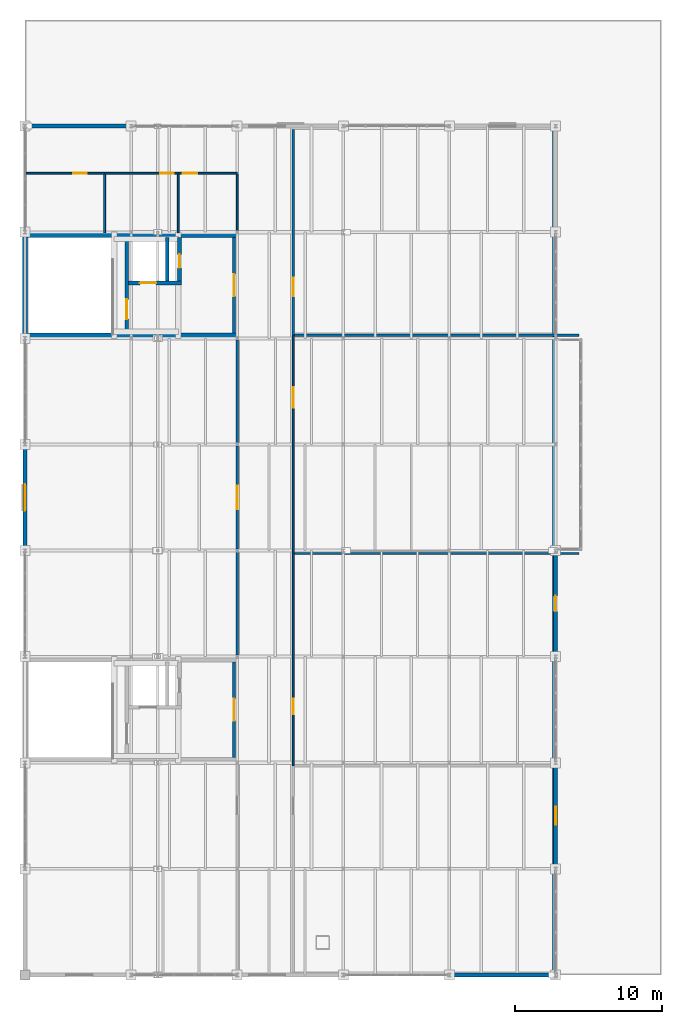
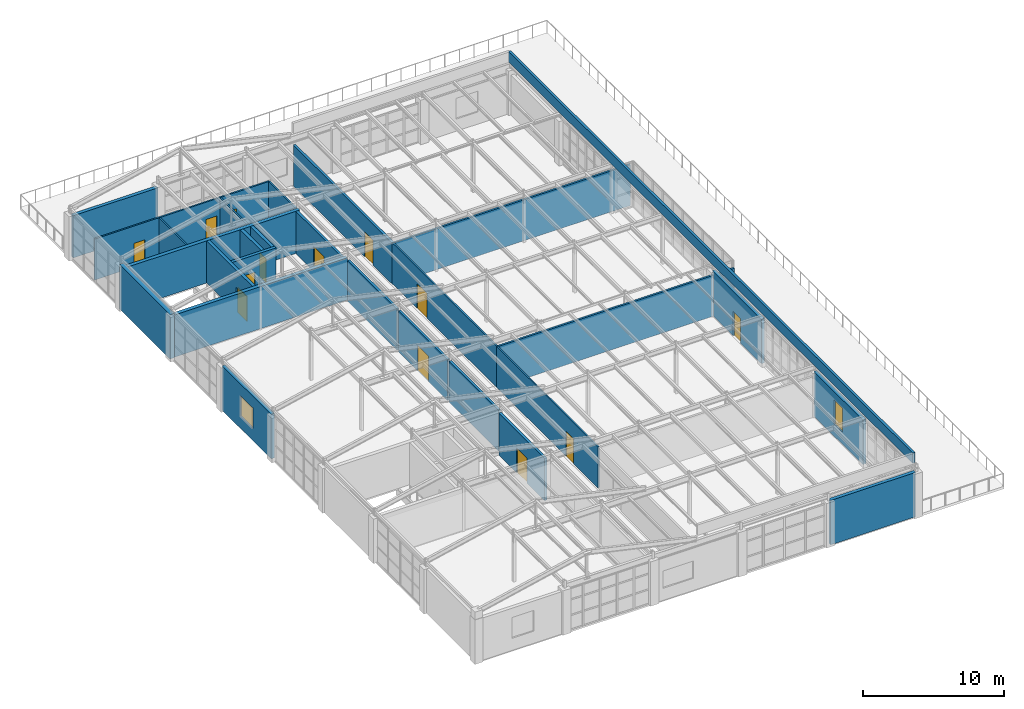
# One storey, part 40 of 43: 29 walls, 13 doors, 2 windows, 15 openings.
"""IFC4 building model written with IfcOpenShell, lengths in metres."""

import ifcopenshell
import ifcopenshell.guid

model = None  # the IFC model being written
_history = None  # IfcOwnerHistory: only IFC2X3 demands one
_inside = {}  # id of a spatial element -> (the spatial element, [elements in it])
_under = {}  # id of a project, library or spatial element -> (it, [spatial elements below it])
_declared = {}  # id of a project -> (the project, [libraries it declares])
_typed = {}  # id of a type object -> (the type object, [elements of that type])
_made_of = {}  # id of a material, layer set ... -> (it, [elements and type objects made of it])


def new_model(schema):
    """Start an empty IFC model of exactly this schema.

    Asked for "IFC4X3", IfcOpenShell would pick the latest addendum, in which some entities
    have other attributes; the version numbers below select the first issue.
    IFC2X3 requires an IfcOwnerHistory on every rooted entity: one is made here for all.
    """
    global model, _history
    if schema == "IFC4X3":
        model = ifcopenshell.file(schema_version=(4, 3, 0, 0))
    else:
        model = ifcopenshell.file(schema=schema)
    _inside.clear()
    _under.clear()
    _declared.clear()
    _typed.clear()
    _made_of.clear()
    _history = None
    if model.schema == "IFC2X3":
        org = make("IfcOrganization", Name="unknown")
        user = make(
            "IfcPersonAndOrganization",
            ThePerson=make("IfcPerson", FamilyName="unknown"),
            TheOrganization=org,
        )
        app = make(
            "IfcApplication",
            ApplicationDeveloper=org,
            Version="unknown",
            ApplicationFullName="unknown",
            ApplicationIdentifier="unknown",
        )
        _history = make(
            "IfcOwnerHistory",
            OwningUser=user,
            OwningApplication=app,
            ChangeAction="ADDED",
            CreationDate=0,
        )
    return model


def make(cls, **values):
    """One entity of the class cls with the attributes given. An attribute that is None is left unset."""
    return model.create_entity(
        cls, **{name: value for name, value in values.items() if value is not None}
    )


def rooted(cls, **values):
    """An entity with a GlobalId (a new one), such as an element, a storey or a relation."""
    return make(cls, GlobalId=ifcopenshell.guid.new(), OwnerHistory=_history, **values)


def si_unit(unit_type, name, prefix=None):
    """IfcSIUnit, for example si_unit("LENGTHUNIT", "METRE", prefix="MILLI")."""
    return make("IfcSIUnit", UnitType=unit_type, Prefix=prefix, Name=name)


def assignment(units):
    """IfcUnitAssignment: the units of a project."""
    return None if units is None else make("IfcUnitAssignment", Units=units)


def point(xyz):
    """IfcCartesianPoint."""
    return None if xyz is None else make("IfcCartesianPoint", Coordinates=xyz)


def direction(xyz):
    """IfcDirection."""
    return None if xyz is None else make("IfcDirection", DirectionRatios=xyz)


def frame(location, z_axis=None, x_axis=None):
    """IfcAxis2Placement3D, a coordinate frame: its origin and axes. An axis left out is left unset."""
    return make(
        "IfcAxis2Placement3D",
        Location=point(location),
        Axis=direction(z_axis),
        RefDirection=direction(x_axis),
    )


def frame_2d(location, x_axis=None):
    """IfcAxis2Placement2D, a coordinate frame in the plane: its origin and x axis."""
    return make(
        "IfcAxis2Placement2D", Location=point(location), RefDirection=direction(x_axis)
    )


def origin():
    """The frame at (0, 0, 0) with its axes left unset."""
    return frame((0.0, 0.0, 0.0))


def place(relative_to, where):
    """IfcLocalPlacement: puts the frame where relative to a parent placement (None: the world)."""
    return make(
        "IfcLocalPlacement", PlacementRelTo=relative_to, RelativePlacement=where
    )


def context(
    kind, dimensions, precision=None, world=None, true_north=None, identifier=None
):
    """IfcGeometricRepresentationContext, for example the 3D "Model" context."""
    return make(
        "IfcGeometricRepresentationContext",
        ContextIdentifier=identifier,
        ContextType=kind,
        CoordinateSpaceDimension=dimensions,
        Precision=precision,
        WorldCoordinateSystem=world,
        TrueNorth=true_north,
    )


def subcontext(parent, identifier, kind, view, scale=None):
    """IfcGeometricRepresentationSubContext, for example "Body" below "Model"."""
    return make(
        "IfcGeometricRepresentationSubContext",
        ContextIdentifier=identifier,
        ContextType=kind,
        ParentContext=parent,
        TargetScale=scale,
        TargetView=view,
    )


def project(units=None, contexts=None):
    """IfcProject with its units and contexts."""
    return rooted(
        "IfcProject",
        Name="project",
        RepresentationContexts=contexts,
        UnitsInContext=assignment(units),
    )


def spatial(cls, under=None, at=None, **own):
    """A site, building, storey or space (cls), placed at a placement, below another one or the project."""
    s = rooted(cls, ObjectPlacement=at, **own)
    if under is not None:
        _under.setdefault(under.id(), (under, []))[1].append(s)
    return s


def profile(cls, at=None, kind="AREA", **sizes):
    """A parametric profile (cls). Its sizes go by their IFC names, for example OverallWidth=200.0."""
    return make(cls, ProfileType=kind, Position=at, **sizes)


def rectangle(**sizes):
    """IfcRectangleProfileDef."""
    return profile("IfcRectangleProfileDef", **sizes)


def extrude(swept, where, along, depth):
    """IfcExtrudedAreaSolid: the profile swept, set in the frame where, extruded along a direction by depth."""
    return make(
        "IfcExtrudedAreaSolid",
        SweptArea=swept,
        Position=where,
        ExtrudedDirection=direction(along),
        Depth=depth,
    )


def shape(context_of_items, identifier, shape_type, items):
    """IfcShapeRepresentation: the items that make up one representation, for example the "Body"."""
    return make(
        "IfcShapeRepresentation",
        ContextOfItems=context_of_items,
        RepresentationIdentifier=identifier,
        RepresentationType=shape_type,
        Items=items,
    )


def material(Name=None, Category=None):
    """IfcMaterial."""
    return make("IfcMaterial", Name=Name, Category=Category)


def layer(
    of_material, thickness, ventilated=None, Name=None, Category=None, Priority=None
):
    """IfcMaterialLayer: one layer of a wall or slab, of a material (None: an air gap)."""
    return make(
        "IfcMaterialLayer",
        Material=of_material,
        LayerThickness=thickness,
        IsVentilated=ventilated,
        Name=Name,
        Category=Category,
        Priority=Priority,
    )


def layer_set(layers, Name=None):
    """IfcMaterialLayerSet."""
    return make("IfcMaterialLayerSet", MaterialLayers=layers, LayerSetName=Name)


def made_of(thing, what):
    """Note that an element or type object is made of a material, layer set ...; save() writes the relation."""
    if what is not None:
        _made_of.setdefault(what.id(), (what, []))[1].append(thing)
    return thing


def type_object(cls, material=None, **own):
    """A type object (cls), such as IfcWallType, which elements share."""
    return made_of(rooted(cls, **own), material)


def element(
    cls,
    number,
    at=None,
    inside=None,
    cuts=None,
    type_object=None,
    material=None,
    context=None,
    identifier="Body",
    shape_type=None,
    held_by="IfcProductDefinitionShape",
    body=None,
    shapes=None,
    **own,
):
    """One element of the class cls, such as IfcWall. Its Tag is "e" and its number.

    at: its placement. inside: the storey or other place that contains it. cuts: it is an
    opening in that element (IfcRelVoidsElement). A single representation is given by context,
    identifier, shape_type and body (its items); several are given by shapes. held_by: the class
    of the entity that holds the representations. save() writes the other relations.
    """
    e = rooted(cls, Tag="e%d" % number, ObjectPlacement=at, **own)
    if body is not None:
        shapes = [shape(context, identifier, shape_type, body)]
    if shapes is not None:
        e.Representation = make(held_by, Representations=shapes)
    if inside is not None:
        _inside.setdefault(inside.id(), (inside, []))[1].append(e)
    if cuts is not None:
        rooted(
            "IfcRelVoidsElement", RelatingBuildingElement=cuts, RelatedOpeningElement=e
        )
    if type_object is not None:
        _typed.setdefault(type_object.id(), (type_object, []))[1].append(e)
    return made_of(e, material)


def fill(opening, filler):
    """IfcRelFillsElement: the door or window that sits in an opening."""
    return rooted(
        "IfcRelFillsElement",
        RelatingOpeningElement=opening,
        RelatedBuildingElement=filler,
    )


def aggregate(whole, parts):
    """IfcRelAggregates: a whole, such as a stair, and the parts it consists of."""
    return rooted("IfcRelAggregates", RelatingObject=whole, RelatedObjects=parts)


def save(model, path):
    """Write the relations noted so far, then the file.

    IfcRelAggregates (storeys below a building ...), IfcRelContainedInSpatialStructure (elements
    in a storey), IfcRelDefinesByType, IfcRelAssociatesMaterial and IfcRelDeclares: one each for
    every whole, place, type object, material and project.
    """
    for whole, parts in _under.values():
        aggregate(whole, parts)
    for where, things in _inside.values():
        rooted(
            "IfcRelContainedInSpatialStructure",
            RelatedElements=things,
            RelatingStructure=where,
        )
    for kind, things in _typed.values():
        rooted("IfcRelDefinesByType", RelatedObjects=things, RelatingType=kind)
    for what, things in _made_of.values():
        rooted("IfcRelAssociatesMaterial", RelatedObjects=things, RelatingMaterial=what)
    for by, libraries in _declared.values():
        rooted("IfcRelDeclares", RelatingContext=by, RelatedDefinitions=libraries)
    model.write(path)


model = new_model("IFC4")

# Units and contexts
model_context = context("Model", 3, precision=1e-05, world=origin(), true_north=direction((0.0, 1.0)))
body_context = subcontext(model_context, "Body", "Model", "MODEL_VIEW")
ifc_project = project(units=[si_unit("LENGTHUNIT", "METRE"), si_unit("AREAUNIT", "SQUARE_METRE"), si_unit("VOLUMEUNIT", "CUBIC_METRE"), si_unit("PLANEANGLEUNIT", "RADIAN"), si_unit("MASSUNIT", "GRAM", prefix="KILO")], contexts=[model_context])

# Site, building, storey
site_placement = place(None, origin())
site = spatial("IfcSite", under=ifc_project, at=site_placement, CompositionType="ELEMENT")
building_placement = place(site_placement, origin())
building = spatial("IfcBuilding", under=site, at=building_placement, Name="Kemerveld Promenade Tramway Depot", CompositionType="ELEMENT")
storey_placement = place(building_placement, frame((0.0, 0.0, 18.89990234375)))
storey = spatial("IfcBuildingStorey", under=building, at=storey_placement, Name="L04", CompositionType="ELEMENT", Elevation=18.89990234375)

# Wall, opening, door
ifc_material_1 = material(Name="Concrete C40/50", Category="concrete")
ifc_layer_1 = layer(ifc_material_1, 0.25)
ifc_layer_set_1 = layer_set([ifc_layer_1], Name="WL-CORE-250")
wall_type_1 = type_object("IfcWallType", Name="WL-CORE-250", PredefinedType="SHEAR", material=ifc_layer_set_1)
wall_1_placement = place(storey_placement, frame((6.89990234375, 43.550048828125, 0.0), z_axis=(0.0, 0.0, 1.0), x_axis=(0.0, 1.0, 0.0)))
wall_1 = element("IfcWall", 1, at=wall_1_placement, inside=storey, type_object=wall_type_1, Name="WL-C2-L04-SDIV", PredefinedType="SHEAR", context=body_context, shape_type="SweptSolid", body=[
    extrude(rectangle(XDim=6.5, YDim=0.25, at=frame_2d((3.25, 0.0))), origin(), (0.0, 0.0, 1.0), 3.650146484375),
])
opening_1_placement = place(wall_1_placement, frame((0.949951171875, 0.0, 0.0)))
opening_1 = element("IfcOpeningElement", 2, at=opening_1_placement, cuts=wall_1, Name="Opening D-537", PredefinedType="OPENING", context=body_context, shape_type="SweptSolid", body=[
    extrude(rectangle(XDim=1.35009765625, YDim=2.14990234375, at=frame_2d((0.675048828125, 1.074951171875))), frame((0.0, 0.135009765625, 0.0), z_axis=(0.0, -1.0, 0.0), x_axis=(1.0, 0.0, 0.0)), (0.0, 0.0, 1.0), 0.27001953125),
])
ifc_material_2 = material(Name="Galvanised steel fire stair door", Category="steel")
door_type_1 = type_object("IfcDoorType", Name="DR-FD120", OperationType="NOTDEFINED", PredefinedType="DOOR", material=ifc_material_2)
door_1_placement = place(opening_1_placement, origin())
door_1 = element("IfcDoor", 3, at=door_1_placement, inside=storey, type_object=door_type_1, Name="DR-C2-L04-STAIR", OperationType="SINGLE_SWING_LEFT", OverallHeight=2.14990234375, OverallWidth=1.35009765625, PredefinedType="DOOR", context=body_context, shape_type="SweptSolid", body=[
    extrude(rectangle(XDim=1.35009765625, YDim=2.14990234375, at=frame_2d((0.675048828125, 1.074951171875))), frame((0.0, 0.02490234375, 0.0), z_axis=(0.0, -1.0, 0.0), x_axis=(1.0, 0.0, 0.0)), (0.0, 0.0, 1.0), 0.050048828125),
])
fill(opening_1, door_1)

wall_2_placement = place(storey_placement, frame((7.02490234375, 46.9599609375, 0.0), z_axis=(0.0, 0.0, 1.0), x_axis=(1.0, 0.0, 0.0)))
wall_2 = element("IfcWall", 4, at=wall_2_placement, inside=storey, type_object=wall_type_1, Name="WL-C2-L04-LSHS", PredefinedType="SHEAR", context=body_context, shape_type="SweptSolid", body=[
    extrude(rectangle(XDim=3.580078125, YDim=0.25, at=frame_2d((1.7900390625, 0.0))), origin(), (0.0, 0.0, 1.0), 3.650146484375),
])
opening_2_placement = place(wall_2_placement, frame((0.77490234375, 0.0, 0.0)))
opening_2 = element("IfcOpeningElement", 5, at=opening_2_placement, cuts=wall_2, Name="Opening LD-538", PredefinedType="OPENING", context=body_context, shape_type="SweptSolid", body=[
    extrude(rectangle(XDim=1.10009765625, YDim=2.14990234375, at=frame_2d((0.550048828125, 1.074951171875))), frame((0.0, 0.135009765625, 0.0), z_axis=(0.0, -1.0, 0.0), x_axis=(1.0, 0.0, 0.0)), (0.0, 0.0, 1.0), 0.27001953125),
])
ifc_material_3 = material(Name="Brushed stainless steel sliding lift landing door", Category="steel")
door_type_2 = type_object("IfcDoorType", Name="DR-LD01", OperationType="SLIDING_TO_LEFT", PredefinedType="DOOR", material=ifc_material_3)
door_2_placement = place(opening_2_placement, origin())
door_2 = element("IfcDoor", 6, at=door_2_placement, inside=storey, type_object=door_type_2, Name="DR-C2-L04-LIFT", OperationType="SLIDING_TO_LEFT", OverallHeight=2.14990234375, OverallWidth=1.10009765625, PredefinedType="DOOR", context=body_context, shape_type="SweptSolid", body=[
    extrude(rectangle(XDim=1.10009765625, YDim=2.14990234375, at=frame_2d((0.550048828125, 1.074951171875))), frame((0.0, 0.02490234375, 0.0), z_axis=(0.0, -1.0, 0.0), x_axis=(1.0, 0.0, 0.0)), (0.0, 0.0, 1.0), 0.050048828125),
])
fill(opening_2, door_2)

# Wall
wall_3_placement = place(storey_placement, frame((9.64990234375, 47.0849609375, 0.0), z_axis=(0.0, 0.0, 1.0), x_axis=(0.0, 1.0, 0.0)))
element("IfcWall", 7, at=wall_3_placement, inside=storey, type_object=wall_type_1, Name="WL-C2-L04-LSHM", PredefinedType="SHEAR", context=body_context, shape_type="SweptSolid", body=[
    extrude(rectangle(XDim=2.965087890625, YDim=0.25, at=frame_2d((1.482421875, 0.0))), origin(), (0.0, 0.0, 1.0), 3.650146484375),
])

# Wall, opening, door
wall_4_placement = place(storey_placement, frame((10.47998046875, 47.0849609375, 0.0), z_axis=(0.0, 0.0, 1.0), x_axis=(0.0, 1.0, 0.0)))
wall_4 = element("IfcWall", 8, at=wall_4_placement, inside=storey, type_object=wall_type_1, Name="WL-C2-L04-LSHE", PredefinedType="SHEAR", context=body_context, shape_type="SweptSolid", body=[
    extrude(rectangle(XDim=2.965087890625, YDim=0.25, at=frame_2d((1.482421875, 0.0))), origin(), (0.0, 0.0, 1.0), 3.650146484375),
])
opening_3_placement = place(wall_4_placement, frame((0.89990234375, 0.0, 0.0)))
opening_3 = element("IfcOpeningElement", 9, at=opening_3_placement, cuts=wall_4, Name="Opening D-539", PredefinedType="OPENING", context=body_context, shape_type="SweptSolid", body=[
    extrude(rectangle(XDim=0.919921875, YDim=2.050048828125, at=frame_2d((0.4599609375, 1.02490234375))), frame((0.0, 0.135009765625, 0.0), z_axis=(0.0, -1.0, 0.0), x_axis=(1.0, 0.0, 0.0)), (0.0, 0.0, 1.0), 0.27001953125),
])
ifc_material_4 = material(Name="Steel riser shaft access fire door", Category="steel")
door_type_3 = type_object("IfcDoorType", Name="DR-RSR01", OperationType="NOTDEFINED", PredefinedType="DOOR", material=ifc_material_4)
door_3_placement = place(opening_3_placement, origin())
door_3 = element("IfcDoor", 10, at=door_3_placement, inside=storey, type_object=door_type_3, Name="DR-C2-L04-RISER", OperationType="SINGLE_SWING_RIGHT", OverallHeight=2.050048828125, OverallWidth=0.919921875, PredefinedType="DOOR", context=body_context, shape_type="SweptSolid", body=[
    extrude(rectangle(XDim=0.919921875, YDim=2.050048828125, at=frame_2d((0.4599609375, 1.02490234375))), frame((0.0, 0.02490234375, 0.0), z_axis=(0.0, -1.0, 0.0), x_axis=(1.0, 0.0, 0.0)), (0.0, 0.0, 1.0), 0.050048828125),
])
fill(opening_3, door_3)

# Walls
ifc_layer_2 = layer(ifc_material_1, 0.300048828125)
ifc_layer_set_2 = layer_set([ifc_layer_2], Name="WL-CORE-300")
wall_type_2 = type_object("IfcWallType", Name="WL-CORE-300", PredefinedType="SHEAR", material=ifc_layer_set_2)
for number, where, z_axis, x_axis, name in (
    (11, (0.169921875, 43.39990234375, 0.0), (0.0, 0.0, 1.0), (1.0, 0.0, 0.0), "WL-C2-L04-S"),
    (12, (0.169921875, 50.199951171875, 0.0), (0.0, 0.0, 1.0), (1.0, 0.0, 0.0), "WL-C2-L04-N"),
):
    element("IfcWall", number, at=place(storey_placement, frame(where, z_axis=z_axis, x_axis=x_axis)), inside=storey, type_object=wall_type_2, Name=name, PredefinedType="SHEAR", context=body_context, shape_type="SweptSolid", body=[
        extrude(rectangle(XDim=14.22998046875, YDim=0.300048828125, at=frame_2d((7.114990234375, 0.0))), origin(), (0.0, 0.0, 1.0), 3.650146484375),
    ])

# Wall, opening, window
ifc_material_5 = material(Name="Insulated clay brick spandrel wall", Category="masonry")
ifc_layer_3 = layer(ifc_material_5, 0.280029296875)
ifc_layer_set_3 = layer_set([ifc_layer_3], Name="WL-EXT-280")
wall_type_3 = type_object("IfcWallType", Name="WL-EXT-280", PredefinedType="SOLIDWALL", material=ifc_layer_set_3)
wall_5_placement = place(storey_placement, frame((0.0, 28.9248046875, 0.0), z_axis=(0.0, 0.0, 1.0), x_axis=(0.0, 1.0, 0.0)))
wall_5 = element("IfcWall", 13, at=wall_5_placement, inside=storey, type_object=wall_type_3, Name="WL-L04-V5W-05", PredefinedType="SOLIDWALL", context=body_context, shape_type="SweptSolid", body=[
    extrude(rectangle(XDim=6.950439453125, YDim=0.280029296875, at=frame_2d((3.47509765625, 0.0))), origin(), (0.0, 0.0, 1.0), 3.85009765625),
])
opening_4_placement = place(wall_5_placement, frame((2.574951171875, 0.0, 1.050048828125)))
opening_4 = element("IfcOpeningElement", 14, at=opening_4_placement, cuts=wall_5, Name="Opening W-222", PredefinedType="OPENING", context=body_context, shape_type="SweptSolid", body=[
    extrude(rectangle(XDim=1.800048828125, YDim=1.800048828125, at=frame_2d((0.89990234375, 0.89990234375))), frame((0.0, 0.14990234375, 0.0), z_axis=(0.0, -1.0, 0.0), x_axis=(1.0, 0.0, 0.0)), (0.0, 0.0, 1.0), 0.300048828125),
])
ifc_material_6 = material(Name="Bronze anodised aluminium and low-e glass", Category="aluminium")
window_type_1 = type_object("IfcWindowType", Name="WN-08", PartitioningType="SINGLE_PANEL", PredefinedType="WINDOW", material=ifc_material_6)
window_1_placement = place(opening_4_placement, origin())
window_1 = element("IfcWindow", 15, at=window_1_placement, inside=storey, type_object=window_type_1, Name="WN-L04-V5W-05", OverallHeight=1.800048828125, OverallWidth=1.800048828125, PartitioningType="SINGLE_PANEL", PredefinedType="WINDOW", context=body_context, shape_type="SweptSolid", body=[
    extrude(rectangle(XDim=1.800048828125, YDim=1.800048828125, at=frame_2d((0.89990234375, 0.89990234375))), frame((0.0, 0.030029296875, 0.0), z_axis=(0.0, -1.0, 0.0), x_axis=(1.0, 0.0, 0.0)), (0.0, 0.0, 1.0), 0.06005859375),
])
fill(opening_4, window_1)

# Walls
wall_6_placement = place(storey_placement, frame((0.124755859375, 57.60009765625, 0.0), z_axis=(0.0, 0.0, 1.0), x_axis=(1.0, 0.0, 0.0)))
element("IfcWall", 16, at=wall_6_placement, inside=storey, type_object=wall_type_3, Name="WL-L04-V5N-01", PredefinedType="SOLIDWALL", context=body_context, shape_type="SweptSolid", body=[
    extrude(rectangle(XDim=6.950439453125, YDim=0.280029296875, at=frame_2d((3.47509765625, 0.0))), origin(), (0.0, 0.0, 1.0), 3.658203125),
])
wall_7_placement = place(storey_placement, frame((35.875244140625, 0.0, 0.0), z_axis=(0.0, 0.0, 1.0), x_axis=(-1.0, 0.0, 0.0)))
element("IfcWall", 17, at=wall_7_placement, inside=storey, type_object=wall_type_3, Name="WL-L04-V5S-01", PredefinedType="SOLIDWALL", context=body_context, shape_type="SweptSolid", body=[
    extrude(rectangle(XDim=6.950439453125, YDim=0.280029296875, at=frame_2d((3.47509765625, 0.0))), origin(), (0.0, 0.0, 1.0), 3.85009765625),
])

# Wall, opening, door
wall_8_placement = place(storey_placement, frame((36.0, 28.67529296875, 0.0), z_axis=(0.0, 0.0, 1.0), x_axis=(0.0, -1.0, 0.0)))
wall_8 = element("IfcWall", 18, at=wall_8_placement, inside=storey, type_object=wall_type_3, Name="WL-L04-V5ES-01", PredefinedType="SOLIDWALL", context=body_context, shape_type="SweptSolid", body=[
    extrude(rectangle(XDim=6.950439453125, YDim=0.280029296875, at=frame_2d((3.47509765625, 0.0))), origin(), (0.0, 0.0, 1.0), 3.85009765625),
])
opening_5_placement = place(wall_8_placement, frame((2.949951171875, 0.0, 0.0)))
opening_5 = element("IfcOpeningElement", 19, at=opening_5_placement, cuts=wall_8, Name="Opening D-150", PredefinedType="OPENING", context=body_context, shape_type="SweptSolid", body=[
    extrude(rectangle(XDim=1.050048828125, YDim=2.10009765625, at=frame_2d((0.52490234375, 1.050048828125))), frame((0.0, 0.14990234375, 0.0), z_axis=(0.0, -1.0, 0.0), x_axis=(1.0, 0.0, 0.0)), (0.0, 0.0, 1.0), 0.300048828125),
])
ifc_material_7 = material(Name="Thermally broken aluminium glazed terrace door", Category="aluminium")
door_type_4 = type_object("IfcDoorType", Name="DR-TER3", OperationType="NOTDEFINED", PredefinedType="DOOR", material=ifc_material_7)
door_4_placement = place(opening_5_placement, origin())
door_4 = element("IfcDoor", 20, at=door_4_placement, inside=storey, type_object=door_type_4, Name="DR-EXT-150", OperationType="SINGLE_SWING_RIGHT", OverallHeight=2.10009765625, OverallWidth=1.050048828125, PredefinedType="DOOR", context=body_context, shape_type="SweptSolid", body=[
    extrude(rectangle(XDim=1.050048828125, YDim=2.10009765625, at=frame_2d((0.52490234375, 1.050048828125))), frame((0.0, 0.02490234375, 0.0), z_axis=(0.0, -1.0, 0.0), x_axis=(1.0, 0.0, 0.0)), (0.0, 0.0, 1.0), 0.050048828125),
])
fill(opening_5, door_4)

# Wall, opening, window
wall_9_placement = place(storey_placement, frame((36.0, 14.275146484375, 0.0), z_axis=(0.0, 0.0, 1.0), x_axis=(0.0, -1.0, 0.0)))
wall_9 = element("IfcWall", 21, at=wall_9_placement, inside=storey, type_object=wall_type_3, Name="WL-L04-V5ES-03", PredefinedType="SOLIDWALL", context=body_context, shape_type="SweptSolid", body=[
    extrude(rectangle(XDim=6.950439453125, YDim=0.280029296875, at=frame_2d((3.47509765625, 0.0))), origin(), (0.0, 0.0, 1.0), 3.85009765625),
])
opening_6_placement = place(wall_9_placement, frame((2.875, 0.0, 1.050048828125)))
opening_6 = element("IfcOpeningElement", 22, at=opening_6_placement, cuts=wall_9, Name="Opening W-227", PredefinedType="OPENING", context=body_context, shape_type="SweptSolid", body=[
    extrude(rectangle(XDim=1.199951171875, YDim=2.10009765625, at=frame_2d((0.60009765625, 1.050048828125))), frame((0.0, 0.14990234375, 0.0), z_axis=(0.0, -1.0, 0.0), x_axis=(1.0, 0.0, 0.0)), (0.0, 0.0, 1.0), 0.300048828125),
])
window_type_2 = type_object("IfcWindowType", Name="WN-01", PartitioningType="SINGLE_PANEL", PredefinedType="WINDOW", material=ifc_material_6)
window_2_placement = place(opening_6_placement, origin())
window_2 = element("IfcWindow", 23, at=window_2_placement, inside=storey, type_object=window_type_2, Name="WN-L04-V5ES-03", OverallHeight=2.10009765625, OverallWidth=1.199951171875, PartitioningType="SINGLE_PANEL", PredefinedType="WINDOW", context=body_context, shape_type="SweptSolid", body=[
    extrude(rectangle(XDim=1.199951171875, YDim=2.10009765625, at=frame_2d((0.60009765625, 1.050048828125))), frame((0.0, 0.030029296875, 0.0), z_axis=(0.0, -1.0, 0.0), x_axis=(1.0, 0.0, 0.0)), (0.0, 0.0, 1.0), 0.06005859375),
])
fill(opening_6, window_2)

# Wall
ifc_layer_4 = layer(ifc_material_1, 0.360107421875)
ifc_layer_set_4 = layer_set([ifc_layer_4], Name="WL-EXT-CORE")
wall_type_4 = type_object("IfcWallType", Name="WL-EXT-CORE", PredefinedType="SHEAR", material=ifc_layer_set_4)
wall_10_placement = place(storey_placement, frame((0.0, 43.199951171875, 0.0), z_axis=(0.0, 0.0, 1.0), x_axis=(0.0, 1.0, 0.0)))
element("IfcWall", 24, at=wall_10_placement, inside=storey, type_object=wall_type_4, Name="WL-L04-V5W-07", PredefinedType="SHEAR", context=body_context, shape_type="SweptSolid", body=[
    extrude(rectangle(XDim=7.199951171875, YDim=0.360107421875, at=frame_2d((3.60009765625, 0.0))), origin(), (0.0, 0.0, 1.0), 3.85009765625),
])

# Wall, opening, door
ifc_material_8 = material(Name="Concrete blockwork C35/45", Category="masonry")
ifc_layer_5 = layer(ifc_material_8, 0.199951171875)
ifc_layer_set_5 = layer_set([ifc_layer_5], Name="WL-LOB-200")
wall_type_5 = type_object("IfcWallType", Name="WL-LOB-200", PredefinedType="SOLIDWALL", material=ifc_layer_set_5)
wall_11_placement = place(storey_placement, frame((14.179931640625, 14.75, 0.0), z_axis=(0.0, 0.0, 1.0), x_axis=(0.0, 1.0, 0.0)))
wall_11 = element("IfcWall", 25, at=wall_11_placement, inside=storey, type_object=wall_type_5, Name="WL-C1-L04-LOB", PredefinedType="SOLIDWALL", context=body_context, shape_type="SweptSolid", body=[
    extrude(rectangle(XDim=6.5, YDim=0.199951171875, at=frame_2d((3.25, 0.0))), origin(), (0.0, 0.0, 1.0), 3.650146484375),
])
opening_7_placement = place(wall_11_placement, frame((2.5, 0.0, 0.0)))
opening_7 = element("IfcOpeningElement", 26, at=opening_7_placement, cuts=wall_11, Name="Opening D-520", PredefinedType="OPENING", context=body_context, shape_type="SweptSolid", body=[
    extrude(rectangle(XDim=1.5, YDim=2.14990234375, at=frame_2d((0.75, 1.074951171875))), frame((0.0, 0.10986328125, 0.0), z_axis=(0.0, -1.0, 0.0), x_axis=(1.0, 0.0, 0.0)), (0.0, 0.0, 1.0), 0.219970703125),
])
ifc_material_9 = material(Name="Timber-faced acoustic fire lobby door", Category="wood")
door_type_5 = type_object("IfcDoorType", Name="DR-FD60A", OperationType="NOTDEFINED", PredefinedType="DOOR", material=ifc_material_9)
door_5_placement = place(opening_7_placement, origin())
door_5 = element("IfcDoor", 27, at=door_5_placement, inside=storey, type_object=door_type_5, Name="DR-C1-L04-LOBBY", OperationType="SINGLE_SWING_RIGHT", OverallHeight=2.14990234375, OverallWidth=1.5, PredefinedType="DOOR", context=body_context, shape_type="SweptSolid", body=[
    extrude(rectangle(XDim=1.5, YDim=2.14990234375, at=frame_2d((0.75, 1.074951171875))), frame((0.0, 0.02490234375, 0.0), z_axis=(0.0, -1.0, 0.0), x_axis=(1.0, 0.0, 0.0)), (0.0, 0.0, 1.0), 0.050048828125),
])
fill(opening_7, door_5)

wall_12_placement = place(storey_placement, frame((14.179931640625, 43.550048828125, 0.0), z_axis=(0.0, 0.0, 1.0), x_axis=(0.0, 1.0, 0.0)))
wall_12 = element("IfcWall", 28, at=wall_12_placement, inside=storey, type_object=wall_type_5, Name="WL-C2-L04-LOB", PredefinedType="SOLIDWALL", context=body_context, shape_type="SweptSolid", body=[
    extrude(rectangle(XDim=6.5, YDim=0.199951171875, at=frame_2d((3.25, 0.0))), origin(), (0.0, 0.0, 1.0), 3.650146484375),
])
opening_8_placement = place(wall_12_placement, frame((2.5, 0.0, 0.0)))
opening_8 = element("IfcOpeningElement", 29, at=opening_8_placement, cuts=wall_12, Name="Opening D-540", PredefinedType="OPENING", context=body_context, shape_type="SweptSolid", body=[
    extrude(rectangle(XDim=1.5, YDim=2.14990234375, at=frame_2d((0.75, 1.074951171875))), frame((0.0, 0.10986328125, 0.0), z_axis=(0.0, -1.0, 0.0), x_axis=(1.0, 0.0, 0.0)), (0.0, 0.0, 1.0), 0.219970703125),
])
door_6_placement = place(opening_8_placement, origin())
door_6 = element("IfcDoor", 30, at=door_6_placement, inside=storey, type_object=door_type_5, Name="DR-C2-L04-LOBBY", OperationType="SINGLE_SWING_LEFT", OverallHeight=2.14990234375, OverallWidth=1.5, PredefinedType="DOOR", context=body_context, shape_type="SweptSolid", body=[
    extrude(rectangle(XDim=1.5, YDim=2.14990234375, at=frame_2d((0.75, 1.074951171875))), frame((0.0, 0.02490234375, 0.0), z_axis=(0.0, -1.0, 0.0), x_axis=(1.0, 0.0, 0.0)), (0.0, 0.0, 1.0), 0.050048828125),
])
fill(opening_8, door_6)

# Wall
ifc_material_10 = material(Name="Precast concrete C40/50", Category="concrete")
ifc_layer_6 = layer(ifc_material_10, 0.18994140625)
ifc_layer_set_6 = layer_set([ifc_layer_6], Name="WL-PAR-190")
wall_type_6 = type_object("IfcWallType", Name="WL-PAR-190", PredefinedType="PARAPET", material=ifc_layer_set_6)
wall_13_placement = place(storey_placement, frame((35.8798828125, 57.47998046875, 4.5), z_axis=(0.0, 0.0, 1.0), x_axis=(0.0, -1.0, 0.0)))
element("IfcWall", 31, at=wall_13_placement, inside=storey, type_object=wall_type_6, Name="PAR-V5-E", PredefinedType="PARAPET", context=body_context, shape_type="SweptSolid", body=[
    extrude(rectangle(XDim=57.35986328125, YDim=0.18994140625, at=frame_2d((28.679931640625, 0.0))), origin(), (0.0, 0.0, 1.0), 0.900146484375),
])

# Wall, opening, door
ifc_material_11 = material(Name="Standard acoustic office partition")
ifc_layer_7 = layer(ifc_material_11, 0.114990234375)
ifc_layer_set_7 = layer_set([ifc_layer_7], Name="WL-PRT-115")
wall_type_7 = type_object("IfcWallType", Name="WL-PRT-115", PredefinedType="PARTITIONING", material=ifc_layer_set_7)
wall_14_placement = place(storey_placement, frame((18.199951171875, 14.199951171875, 0.0), z_axis=(0.0, 0.0, 1.0), x_axis=(0.0, 1.0, 0.0)))
wall_14 = element("IfcWall", 32, at=wall_14_placement, inside=storey, type_object=wall_type_7, Name="WL-PRT-RM-L04-V5-INC", PredefinedType="PARTITIONING", context=body_context, shape_type="SweptSolid", body=[
    extrude(rectangle(XDim=14.400146484375, YDim=0.114990234375, at=frame_2d((7.2001953125, 0.0))), origin(), (0.0, 0.0, 1.0), 3.550048828125),
])
opening_9_placement = place(wall_14_placement, frame((3.498046875, 0.0, 0.0)))
opening_9 = element("IfcOpeningElement", 33, at=opening_9_placement, cuts=wall_14, Name="Opening D-682", PredefinedType="OPENING", context=body_context, shape_type="SweptSolid", body=[
    extrude(rectangle(XDim=1.050048828125, YDim=2.14990234375, at=frame_2d((0.52490234375, 1.074951171875))), frame((0.0, 0.0673828125, 0.0), z_axis=(0.0, -1.0, 0.0), x_axis=(1.0, 0.0, 0.0)), (0.0, 0.0, 1.0), 0.135009765625),
])
ifc_material_12 = material(Name="Glazed training classroom door")
door_type_6 = type_object("IfcDoorType", Name="DR-INT03", OperationType="NOTDEFINED", PredefinedType="DOOR", material=ifc_material_12)
door_7_placement = place(opening_9_placement, origin())
door_7 = element("IfcDoor", 34, at=door_7_placement, inside=storey, type_object=door_type_6, Name="DR-RM-RM-L04-V5-INC", OperationType="SINGLE_SWING_LEFT", OverallHeight=2.14990234375, OverallWidth=1.050048828125, PredefinedType="DOOR", context=body_context, shape_type="SweptSolid", body=[
    extrude(rectangle(XDim=1.050048828125, YDim=2.14990234375, at=frame_2d((0.52490234375, 1.074951171875))), frame((0.0, 0.02490234375, 0.0), z_axis=(0.0, -1.0, 0.0), x_axis=(1.0, 0.0, 0.0)), (0.0, 0.0, 1.0), 0.050048828125),
])
fill(opening_9, door_7)

ifc_material_13 = material(Name="Moisture-resistant masonry partition", Category="masonry")
ifc_layer_8 = layer(ifc_material_13, 0.1298828125)
ifc_layer_set_8 = layer_set([ifc_layer_8], Name="WL-PRT-130")
wall_type_8 = type_object("IfcWallType", Name="WL-PRT-130", PredefinedType="PARTITIONING", material=ifc_layer_set_8)
wall_15_placement = place(storey_placement, frame((18.199951171875, 28.60009765625, 0.0), z_axis=(0.0, 0.0, 1.0), x_axis=(0.0, 1.0, 0.0)))
wall_15 = element("IfcWall", 35, at=wall_15_placement, inside=storey, type_object=wall_type_8, Name="WL-PRT-RM-L04-V5-OCC", PredefinedType="PARTITIONING", context=body_context, shape_type="SweptSolid", body=[
    extrude(rectangle(XDim=14.7998046875, YDim=0.1298828125, at=frame_2d((7.39990234375, 0.0))), origin(), (0.0, 0.0, 1.0), 3.550048828125),
])
opening_10_placement = place(wall_15_placement, frame((9.889892578125, 0.0, 0.0)))
opening_10 = element("IfcOpeningElement", 36, at=opening_10_placement, cuts=wall_15, Name="Opening D-680", PredefinedType="OPENING", context=body_context, shape_type="SweptSolid", body=[
    extrude(rectangle(XDim=1.39990234375, YDim=2.14990234375, at=frame_2d((0.699951171875, 1.074951171875))), frame((0.0, 0.074951171875, 0.0), z_axis=(0.0, -1.0, 0.0), x_axis=(1.0, 0.0, 0.0)), (0.0, 0.0, 1.0), 0.14990234375),
])
ifc_material_14 = material(Name="Timber-faced fire corridor door", Category="wood")
door_type_7 = type_object("IfcDoorType", Name="DR-FD60B", OperationType="NOTDEFINED", PredefinedType="DOOR", material=ifc_material_14)
door_8_placement = place(opening_10_placement, origin())
door_8 = element("IfcDoor", 37, at=door_8_placement, inside=storey, type_object=door_type_7, Name="DR-RM-RM-L04-V5-OCC", OperationType="SINGLE_SWING_LEFT", OverallHeight=2.14990234375, OverallWidth=1.39990234375, PredefinedType="DOOR", context=body_context, shape_type="SweptSolid", body=[
    extrude(rectangle(XDim=1.39990234375, YDim=2.14990234375, at=frame_2d((0.699951171875, 1.074951171875))), frame((0.0, 0.02490234375, 0.0), z_axis=(0.0, -1.0, 0.0), x_axis=(1.0, 0.0, 0.0)), (0.0, 0.0, 1.0), 0.050048828125),
])
fill(opening_10, door_8)

wall_16_placement = place(storey_placement, frame((0.080078125, 54.39990234375, 0.0), z_axis=(0.0, 0.0, 1.0), x_axis=(1.0, 0.0, 0.0)))
wall_16 = element("IfcWall", 38, at=wall_16_placement, inside=storey, type_object=wall_type_8, Name="WL-PRT-RM-L04-V5-WCM", PredefinedType="PARTITIONING", context=body_context, shape_type="SweptSolid", body=[
    extrude(rectangle(XDim=5.31982421875, YDim=0.1298828125, at=frame_2d((2.659912109375, 0.0))), origin(), (0.0, 0.0, 1.0), 3.550048828125),
])
opening_11_placement = place(wall_16_placement, frame((3.2099609375, 0.0, 0.0)))
opening_11 = element("IfcOpeningElement", 39, at=opening_11_placement, cuts=wall_16, Name="Opening D-686", PredefinedType="OPENING", context=body_context, shape_type="SweptSolid", body=[
    extrude(rectangle(XDim=0.89990234375, YDim=2.050048828125, at=frame_2d((0.449951171875, 1.02490234375))), frame((0.0, 0.074951171875, 0.0), z_axis=(0.0, -1.0, 0.0), x_axis=(1.0, 0.0, 0.0)), (0.0, 0.0, 1.0), 0.14990234375),
])
ifc_material_15 = material(Name="Moisture-resistant laminate WC door")
door_type_8 = type_object("IfcDoorType", Name="DR-WC01", OperationType="NOTDEFINED", PredefinedType="DOOR", material=ifc_material_15)
door_9_placement = place(opening_11_placement, origin())
door_9 = element("IfcDoor", 40, at=door_9_placement, inside=storey, type_object=door_type_8, Name="DR-RM-RM-L04-V5-WCM", OperationType="SINGLE_SWING_RIGHT", OverallHeight=2.050048828125, OverallWidth=0.89990234375, PredefinedType="DOOR", context=body_context, shape_type="SweptSolid", body=[
    extrude(rectangle(XDim=0.89990234375, YDim=2.050048828125, at=frame_2d((0.449951171875, 1.02490234375))), frame((0.0, 0.02490234375, 0.0), z_axis=(0.0, -1.0, 0.0), x_axis=(1.0, 0.0, 0.0)), (0.0, 0.0, 1.0), 0.050048828125),
])
fill(opening_11, door_9)

wall_17_placement = place(storey_placement, frame((5.39990234375, 54.39990234375, 0.0), z_axis=(0.0, 0.0, 1.0), x_axis=(1.0, 0.0, 0.0)))
wall_17 = element("IfcWall", 41, at=wall_17_placement, inside=storey, type_object=wall_type_8, Name="WL-PRT-RM-L04-V5-WCF", PredefinedType="PARTITIONING", context=body_context, shape_type="SweptSolid", body=[
    extrude(rectangle(XDim=5.0, YDim=0.1298828125, at=frame_2d((2.5, 0.0))), origin(), (0.0, 0.0, 1.0), 3.550048828125),
])
opening_12_placement = place(wall_17_placement, frame((3.780029296875, 0.0, 0.0)))
opening_12 = element("IfcOpeningElement", 42, at=opening_12_placement, cuts=wall_17, Name="Opening D-687", PredefinedType="OPENING", context=body_context, shape_type="SweptSolid", body=[
    extrude(rectangle(XDim=0.89990234375, YDim=2.050048828125, at=frame_2d((0.449951171875, 1.02490234375))), frame((0.0, 0.074951171875, 0.0), z_axis=(0.0, -1.0, 0.0), x_axis=(1.0, 0.0, 0.0)), (0.0, 0.0, 1.0), 0.14990234375),
])
door_10_placement = place(opening_12_placement, origin())
door_10 = element("IfcDoor", 43, at=door_10_placement, inside=storey, type_object=door_type_8, Name="DR-RM-RM-L04-V5-WCF", OperationType="SINGLE_SWING_LEFT", OverallHeight=2.050048828125, OverallWidth=0.89990234375, PredefinedType="DOOR", context=body_context, shape_type="SweptSolid", body=[
    extrude(rectangle(XDim=0.89990234375, YDim=2.050048828125, at=frame_2d((0.449951171875, 1.02490234375))), frame((0.0, 0.02490234375, 0.0), z_axis=(0.0, -1.0, 0.0), x_axis=(1.0, 0.0, 0.0)), (0.0, 0.0, 1.0), 0.050048828125),
])
fill(opening_12, door_10)

wall_18_placement = place(storey_placement, frame((10.39990234375, 54.39990234375, 0.0), z_axis=(0.0, 0.0, 1.0), x_axis=(1.0, 0.0, 0.0)))
wall_18 = element("IfcWall", 44, at=wall_18_placement, inside=storey, type_object=wall_type_8, Name="WL-PRT-RM-L04-V5-WCA", PredefinedType="PARTITIONING", context=body_context, shape_type="SweptSolid", body=[
    extrude(rectangle(XDim=4.0, YDim=0.1298828125, at=frame_2d((2.0, 0.0))), origin(), (0.0, 0.0, 1.0), 3.550048828125),
])
opening_13_placement = place(wall_18_placement, frame((0.320068359375, 0.0, 0.0)))
opening_13 = element("IfcOpeningElement", 45, at=opening_13_placement, cuts=wall_18, Name="Opening D-688", PredefinedType="OPENING", context=body_context, shape_type="SweptSolid", body=[
    extrude(rectangle(XDim=0.97998046875, YDim=2.10009765625, at=frame_2d((0.489990234375, 1.050048828125))), frame((0.0, 0.074951171875, 0.0), z_axis=(0.0, -1.0, 0.0), x_axis=(1.0, 0.0, 0.0)), (0.0, 0.0, 1.0), 0.14990234375),
])
ifc_material_16 = material(Name="Accessible WC outward-opening door")
door_type_9 = type_object("IfcDoorType", Name="DR-WCA1", OperationType="NOTDEFINED", PredefinedType="DOOR", material=ifc_material_16)
door_11_placement = place(opening_13_placement, origin())
door_11 = element("IfcDoor", 46, at=door_11_placement, inside=storey, type_object=door_type_9, Name="DR-RM-RM-L04-V5-WCA", OperationType="SINGLE_SWING_RIGHT", OverallHeight=2.10009765625, OverallWidth=0.97998046875, PredefinedType="DOOR", context=body_context, shape_type="SweptSolid", body=[
    extrude(rectangle(XDim=0.97998046875, YDim=2.10009765625, at=frame_2d((0.489990234375, 1.050048828125))), frame((0.0, 0.02490234375, 0.0), z_axis=(0.0, -1.0, 0.0), x_axis=(1.0, 0.0, 0.0)), (0.0, 0.0, 1.0), 0.050048828125),
])
fill(opening_13, door_11)

# Walls
for number, where, z_axis, x_axis, name in (
    (47, (5.39990234375, 50.35009765625, 0.0), (0.0, 0.0, 1.0), (0.0, 1.0, 0.0), "WL-DIV-L04-004"),
    (48, (10.39990234375, 50.35009765625, 0.0), (0.0, 0.0, 1.0), (0.0, 1.0, 0.0), "WL-DIV-L04-005"),
):
    element("IfcWall", number, at=place(storey_placement, frame(where, z_axis=z_axis, x_axis=x_axis)), inside=storey, type_object=wall_type_8, Name=name, PredefinedType="PARTITIONING", context=body_context, shape_type="SweptSolid", body=[
        extrude(rectangle(XDim=3.98486328125, YDim=0.1298828125, at=frame_2d((1.992431640625, 0.0))), origin(), (0.0, 0.0, 1.0), 3.550048828125),
    ])
wall_19_placement = place(storey_placement, frame((14.39990234375, 50.507080078125, 0.0), z_axis=(0.0, 0.0, 1.0), x_axis=(0.0, 1.0, 0.0)))
element("IfcWall", 49, at=wall_19_placement, inside=storey, type_object=wall_type_8, Name="WL-DIV-L04-006", PredefinedType="PARTITIONING", context=body_context, shape_type="SweptSolid", body=[
    extrude(rectangle(XDim=3.827880859375, YDim=0.1298828125, at=frame_2d((1.9140625, 0.0))), origin(), (0.0, 0.0, 1.0), 3.550048828125),
])
ifc_material_17 = material(Name="Acoustic twin-stud gypsum partition")
ifc_layer_9 = layer(ifc_material_17, 0.159912109375)
ifc_layer_set_9 = layer_set([ifc_layer_9], Name="WL-PRT-160")
wall_type_9 = type_object("IfcWallType", Name="WL-PRT-160", PredefinedType="PARTITIONING", material=ifc_layer_set_9)
wall_20_placement = place(storey_placement, frame((18.264892578125, 28.60009765625, 0.0), z_axis=(0.0, 0.0, 1.0), x_axis=(1.0, 0.0, 0.0)))
element("IfcWall", 50, at=wall_20_placement, inside=storey, type_object=wall_type_9, Name="WL-DIV-L04-001", PredefinedType="PARTITIONING", context=body_context, shape_type="SweptSolid", body=[
    extrude(rectangle(XDim=19.335205078125, YDim=0.159912109375, at=frame_2d((9.66748046875, 0.0))), origin(), (0.0, 0.0, 1.0), 3.550048828125),
])
wall_21_placement = place(storey_placement, frame((18.294921875, 43.39990234375, 0.0), z_axis=(0.0, 0.0, 1.0), x_axis=(1.0, 0.0, 0.0)))
element("IfcWall", 51, at=wall_21_placement, inside=storey, type_object=wall_type_9, Name="WL-DIV-L04-002", PredefinedType="PARTITIONING", context=body_context, shape_type="SweptSolid", body=[
    extrude(rectangle(XDim=19.30517578125, YDim=0.159912109375, at=frame_2d((9.652587890625, 0.0))), origin(), (0.0, 0.0, 1.0), 3.550048828125),
])

# Wall, opening, door
ifc_material_18 = material(Name="Plant and substation fire partition")
ifc_layer_10 = layer(ifc_material_18, 0.18994140625)
ifc_layer_set_10 = layer_set([ifc_layer_10], Name="WL-PRT-190")
wall_type_10 = type_object("IfcWallType", Name="WL-PRT-190", PredefinedType="PARTITIONING", material=ifc_layer_set_10)
wall_22_placement = place(storey_placement, frame((18.199951171875, 43.39990234375, 0.0), z_axis=(0.0, 0.0, 1.0), x_axis=(0.0, 1.0, 0.0)))
wall_22 = element("IfcWall", 52, at=wall_22_placement, inside=storey, type_object=wall_type_10, Name="WL-PRT-RM-L04-V5-SCADA", PredefinedType="PARTITIONING", context=body_context, shape_type="SweptSolid", body=[
    extrude(rectangle(XDim=13.985107421875, YDim=0.18994140625, at=frame_2d((6.99267578125, 0.0))), origin(), (0.0, 0.0, 1.0), 3.550048828125),
])
opening_14_placement = place(wall_22_placement, frame((2.64794921875, 0.0, 0.0)))
opening_14 = element("IfcOpeningElement", 53, at=opening_14_placement, cuts=wall_22, Name="Opening D-681", PredefinedType="OPENING", context=body_context, shape_type="SweptSolid", body=[
    extrude(rectangle(XDim=1.25, YDim=2.14990234375, at=frame_2d((0.625, 1.074951171875))), frame((0.0, 0.10498046875, 0.0), z_axis=(0.0, -1.0, 0.0), x_axis=(1.0, 0.0, 0.0)), (0.0, 0.0, 1.0), 0.2099609375),
])
ifc_material_19 = material(Name="Steel plant room fire door", Category="steel")
door_type_10 = type_object("IfcDoorType", Name="DR-FD60C", OperationType="NOTDEFINED", PredefinedType="DOOR", material=ifc_material_19)
door_12_placement = place(opening_14_placement, origin())
door_12 = element("IfcDoor", 54, at=door_12_placement, inside=storey, type_object=door_type_10, Name="DR-RM-RM-L04-V5-SCADA", OperationType="SINGLE_SWING_RIGHT", OverallHeight=2.14990234375, OverallWidth=1.25, PredefinedType="DOOR", context=body_context, shape_type="SweptSolid", body=[
    extrude(rectangle(XDim=1.25, YDim=2.14990234375, at=frame_2d((0.625, 1.074951171875))), frame((0.0, 0.02490234375, 0.0), z_axis=(0.0, -1.0, 0.0), x_axis=(1.0, 0.0, 0.0)), (0.0, 0.0, 1.0), 0.050048828125),
])
fill(opening_14, door_12)

# Wall
wall_23_placement = place(storey_placement, frame((14.39990234375, 21.70703125, 0.0), z_axis=(0.0, 0.0, 1.0), x_axis=(0.0, 1.0, 0.0)))
element("IfcWall", 55, at=wall_23_placement, inside=storey, type_object=wall_type_10, Name="WL-PRT-RM-L04-V5-TEA-S1", PredefinedType="PARTITIONING", context=body_context, shape_type="SweptSolid", body=[
    extrude(rectangle(XDim=6.986083984375, YDim=0.18994140625, at=frame_2d((3.4931640625, 0.0))), origin(), (0.0, 0.0, 1.0), 3.550048828125),
])

# Wall, opening, door
wall_24_placement = place(storey_placement, frame((14.39990234375, 28.906982421875, 0.0), z_axis=(0.0, 0.0, 1.0), x_axis=(0.0, 1.0, 0.0)))
wall_24 = element("IfcWall", 56, at=wall_24_placement, inside=storey, type_object=wall_type_10, Name="WL-PRT-RM-L04-V5-TEA", PredefinedType="PARTITIONING", context=body_context, shape_type="SweptSolid", body=[
    extrude(rectangle(XDim=6.986083984375, YDim=0.18994140625, at=frame_2d((3.4931640625, 0.0))), origin(), (0.0, 0.0, 1.0), 3.550048828125),
])
opening_15_placement = place(wall_24_placement, frame((2.693115234375, 0.0, 0.0)))
opening_15 = element("IfcOpeningElement", 57, at=opening_15_placement, cuts=wall_24, Name="Opening D-685", PredefinedType="OPENING", context=body_context, shape_type="SweptSolid", body=[
    extrude(rectangle(XDim=1.60009765625, YDim=2.199951171875, at=frame_2d((0.800048828125, 1.10009765625))), frame((0.0, 0.10498046875, 0.0), z_axis=(0.0, -1.0, 0.0), x_axis=(1.0, 0.0, 0.0)), (0.0, 0.0, 1.0), 0.2099609375),
])
ifc_material_20 = material(Name="Double glazed gallery and canteen door")
door_type_11 = type_object("IfcDoorType", Name="DR-INT05", OperationType="DOUBLE_SWING_LEFT", PredefinedType="DOOR", material=ifc_material_20)
door_13_placement = place(opening_15_placement, origin())
door_13 = element("IfcDoor", 58, at=door_13_placement, inside=storey, type_object=door_type_11, Name="DR-RM-RM-L04-V5-TEA", OperationType="DOUBLE_SWING_LEFT", OverallHeight=2.199951171875, OverallWidth=1.60009765625, PredefinedType="DOOR", context=body_context, shape_type="SweptSolid", body=[
    extrude(rectangle(XDim=1.60009765625, YDim=2.199951171875, at=frame_2d((0.800048828125, 1.10009765625))), frame((0.0, 0.02490234375, 0.0), z_axis=(0.0, -1.0, 0.0), x_axis=(1.0, 0.0, 0.0)), (0.0, 0.0, 1.0), 0.050048828125),
])
fill(opening_15, door_13)

# Wall
wall_25_placement = place(storey_placement, frame((14.39990234375, 36.10693359375, 0.0), z_axis=(0.0, 0.0, 1.0), x_axis=(0.0, 1.0, 0.0)))
element("IfcWall", 59, at=wall_25_placement, inside=storey, type_object=wall_type_10, Name="WL-PRT-RM-L04-V5-TEA-S3", PredefinedType="PARTITIONING", context=body_context, shape_type="SweptSolid", body=[
    extrude(rectangle(XDim=6.986083984375, YDim=0.18994140625, at=frame_2d((3.4931640625, 0.0))), origin(), (0.0, 0.0, 1.0), 3.550048828125),
])

save(model, "model.ifc")
